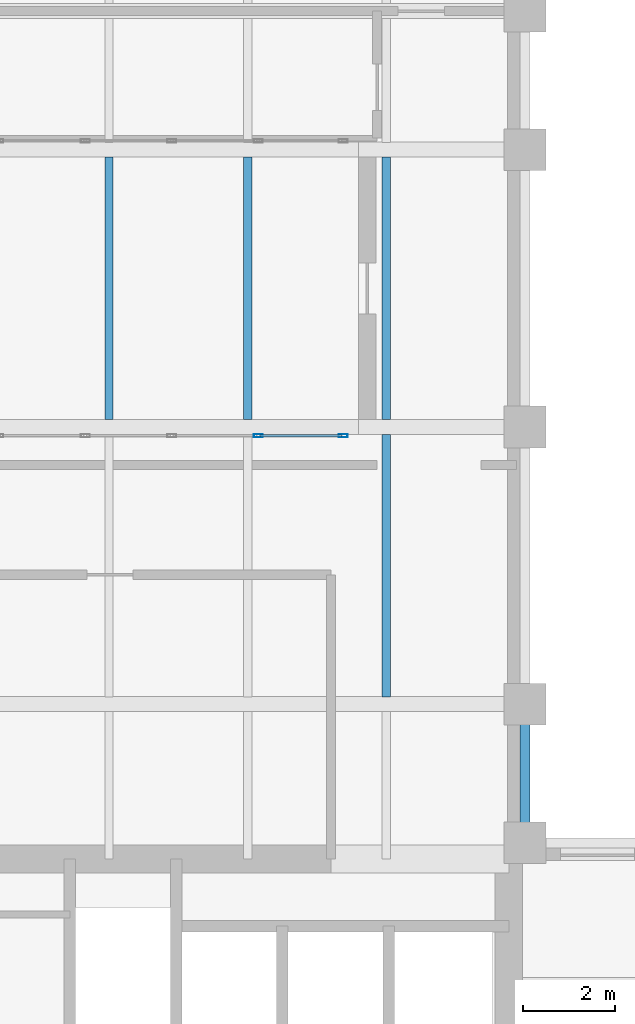
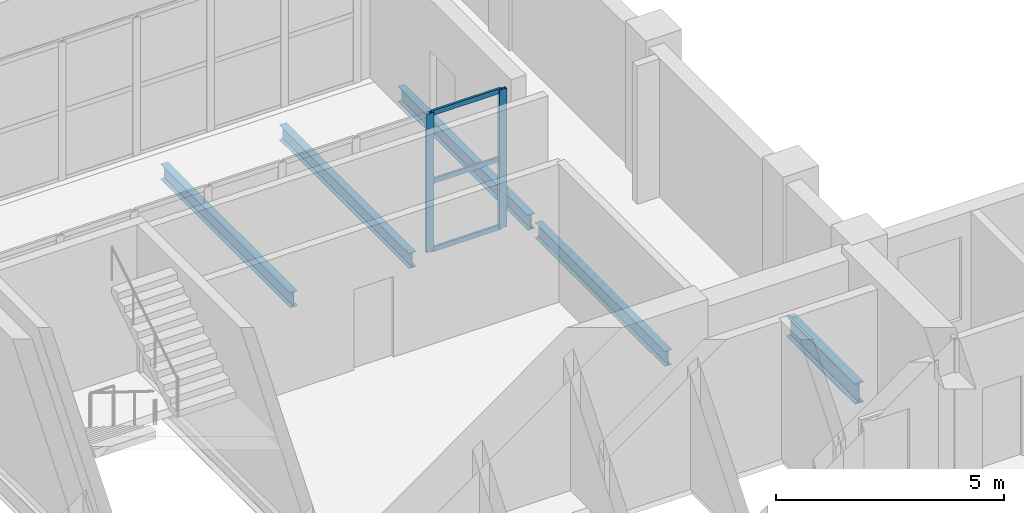
# One storey, part 4 of 11: 5 beams, 5 members, 1 element without a shape of its own.
"""IFC4 building model written with IfcOpenShell, lengths in metres."""

from ifc_helpers import new_model, si_unit, direction, frame, origin, origin_2d, place, context, subcontext, project, spatial, hollow_rectangle, i_section, extrude, material, layer, layer_set, material_profile, profile_set, type_object, element, aggregate, save


model = new_model("IFC4")

# Units and contexts
model_context = context("Model", 3, precision=1e-05, world=origin(), true_north=direction((0.0, 1.0)))
body_context = subcontext(model_context, "Body", "Model", "MODEL_VIEW")
ifc_project = project(units=[si_unit("LENGTHUNIT", "METRE"), si_unit("AREAUNIT", "SQUARE_METRE"), si_unit("VOLUMEUNIT", "CUBIC_METRE"), si_unit("PLANEANGLEUNIT", "RADIAN"), si_unit("MASSUNIT", "GRAM", prefix="KILO")], contexts=[model_context])

# Site, building, storey
site_placement = place(None, origin())
site = spatial("IfcSite", under=ifc_project, at=site_placement, CompositionType="ELEMENT")
building_placement = place(site_placement, origin())
building = spatial("IfcBuilding", under=site, at=building_placement, Name="Mawjdan Bourse Tower", CompositionType="ELEMENT")
storey_placement = place(building_placement, frame((0.0, 0.0, 191.699951171875)))
storey = spatial("IfcBuildingStorey", under=building, at=storey_placement, Name="L46", CompositionType="ELEMENT", Elevation=191.699951171875)

# Beams
ifc_material_1 = material(Name="Structural Steel S355", Category="steel")
ifc_material_profile_1 = material_profile(ifc_material_1, i_section(OverallWidth=0.177978515625, OverallDepth=0.406982421875, WebThickness=0.0078125, FlangeThickness=0.0126953125, FilletRadius=0.01025390625, at=origin_2d()), Name="W16X40")
ifc_profile_set_1 = profile_set([ifc_material_profile_1], Name="Structural Steel S355")
beam_type_1 = type_object("IfcBeamType", Name="JST-W16X40", PredefinedType="JOIST", material=ifc_profile_set_1)
for number, where, z_axis, x_axis, name in (
    (1, (15.0, 30.160400390625, -0.37353515625), (0.0, 1.0, 0.0), (-1.0, 0.0, 0.0), "L46 L46 Portal Sky Deck Joist 071"),
    (2, (18.0, 30.160400390625, -0.37353515625), (0.0, 1.0, 0.0), (-1.0, 0.0, 0.0), "L46 L46 Portal Sky Deck Joist 076"),
    (3, (21.0, 24.160400390625, -0.403564453125), (0.0, 1.0, 0.0), (-1.0, 0.0, 0.0), "L46 North Wing Composite Joist 080"),
    (4, (21.0, 30.160400390625, -0.403564453125), (0.0, 1.0, 0.0), (-1.0, 0.0, 0.0), "L46 North Wing Composite Joist 081"),
):
    element("IfcBeam", number, at=place(storey_placement, frame(where, z_axis=z_axis, x_axis=x_axis)), inside=storey, type_object=beam_type_1, Name=name, PredefinedType="JOIST", context=body_context, shape_type="SweptSolid", body=[
        extrude(i_section(OverallWidth=0.177978515625, OverallDepth=0.406982421875, WebThickness=0.0078125, FlangeThickness=0.0126953125, FilletRadius=0.01025390625, at=origin_2d()), origin(), (0.0, 0.0, 1.0), 5.67919921875),
    ])

# Curtain wall, members
ifc_material_2 = material(Name="Thermally Broken Aluminium and Solar Glass", Category="aluminium")
ifc_layer = layer(ifc_material_2, 0.219970703125)
ifc_layer_set = layer_set([ifc_layer], Name="Thermally Broken Aluminium and Solar Glass")
curtain_wall_type = type_object("IfcCurtainWallType", Name="CW-POR", PredefinedType="USERDEFINED", material=ifc_layer_set)
curtain_wall_placement = place(storey_placement, origin())
curtain_wall = element("IfcCurtainWall", 5, at=curtain_wall_placement, inside=storey, type_object=curtain_wall_type, Name="L46 North Void Portal Glazed Cheek 16", ObjectType="VOID PORTAL CURTAIN WALL", PredefinedType="USERDEFINED")
ifc_material_3 = material(Name="Thermally Broken Anodised Aluminium", Category="aluminium")
ifc_material_profile_2 = material_profile(ifc_material_3, hollow_rectangle(XDim=0.070068359375, YDim=0.18994140625, WallThickness=0.00439453125, at=origin_2d()), Name="ALU-MUL-190X70")
ifc_profile_set_2 = profile_set([ifc_material_profile_2], Name="Thermally Broken Anodised Aluminium")
member_type_1 = type_object("IfcMemberType", Name="MUL-ALU-MUL-190X70", PredefinedType="MULLION", material=ifc_profile_set_2)
member_1_placement = place(storey_placement, frame((20.06494140625, 29.81005859375, 0.0), z_axis=(0.0, 0.0, 1.0), x_axis=(0.0, -1.0, 0.0)))
member_1 = element("IfcMember", 6, at=member_1_placement, type_object=member_type_1, Name="CW-POR-L46-POR-N16 mullion 1", PredefinedType="MULLION", context=body_context, shape_type="SweptSolid", body=[
    extrude(hollow_rectangle(XDim=0.070068359375, YDim=0.18994140625, WallThickness=0.00439453125, at=origin_2d()), origin(), (0.0, 0.0, 1.0), 3.699951171875),
])
member_2_placement = place(storey_placement, frame((18.228515625, 29.81005859375, 0.0), z_axis=(0.0, 0.0, 1.0), x_axis=(0.0, -1.0, 0.0)))
member_2 = element("IfcMember", 7, at=member_2_placement, type_object=member_type_1, Name="CW-POR-L46-POR-N16 mullion 2", PredefinedType="MULLION", context=body_context, shape_type="SweptSolid", body=[
    extrude(hollow_rectangle(XDim=0.070068359375, YDim=0.18994140625, WallThickness=0.00439453125, at=origin_2d()), origin(), (0.0, 0.0, 1.0), 3.699951171875),
])

# Beam
ifc_material_profile_3 = material_profile(ifc_material_1, i_section(OverallWidth=0.2119140625, OverallDepth=0.5439453125, WebThickness=0.01318359375, FlangeThickness=0.021240234375, FilletRadius=0.01708984375, at=origin_2d()), Name="W21X83")
ifc_profile_set_3 = profile_set([ifc_material_profile_3], Name="Structural Steel S355")
beam_type_2 = type_object("IfcBeamType", Name="SPN-W21X83", PredefinedType="SPANDREL", material=ifc_profile_set_3)
beam_placement = place(storey_placement, frame((24.0, 21.0, -0.471923828125), z_axis=(0.0, 1.0, 0.0), x_axis=(-1.0, 0.0, 0.0)))
element("IfcBeam", 8, at=beam_placement, inside=storey, type_object=beam_type_2, Name="L46 North Wing Spandrel 059", PredefinedType="SPANDREL", context=body_context, shape_type="SweptSolid", body=[
    extrude(i_section(OverallWidth=0.2119140625, OverallDepth=0.5439453125, WebThickness=0.01318359375, FlangeThickness=0.021240234375, FilletRadius=0.01708984375, at=origin_2d()), origin(), (0.0, 0.0, 1.0), 3.0),
])

# Member
ifc_material_profile_4 = material_profile(ifc_material_3, hollow_rectangle(XDim=0.054931640625, YDim=0.1298828125, WallThickness=0.00341796875, at=origin_2d()), Name="ALU-TRN-130X55")
ifc_profile_set_4 = profile_set([ifc_material_profile_4], Name="Thermally Broken Anodised Aluminium")
member_type_2 = type_object("IfcMemberType", Name="TRN-ALU-TRN-130X55", PredefinedType="USERDEFINED", material=ifc_profile_set_4)
member_3_placement = place(storey_placement, frame((20.030029296875, 29.81005859375, 0.027587890625), z_axis=(-1.0, 0.0, 0.0), x_axis=(0.0, -1.0, 0.0)))
member_3 = element("IfcMember", 9, at=member_3_placement, type_object=member_type_2, Name="CW-POR-L46-POR-N16 transom 1.1", ObjectType="TRANSOM", PredefinedType="USERDEFINED", context=body_context, shape_type="SweptSolid", body=[
    extrude(hollow_rectangle(XDim=0.054931640625, YDim=0.1298828125, WallThickness=0.00341796875, at=origin_2d()), origin(), (0.0, 0.0, 1.0), 1.766357421875),
])

member_4_placement = place(storey_placement, frame((20.030029296875, 29.81005859375, 1.85009765625), z_axis=(-1.0, 0.0, 0.0), x_axis=(0.0, -1.0, 0.0)))
member_4 = element("IfcMember", 10, at=member_4_placement, type_object=member_type_2, Name="CW-POR-L46-POR-N16 transom 1.2", ObjectType="TRANSOM", PredefinedType="USERDEFINED", context=body_context, shape_type="SweptSolid", body=[
    extrude(hollow_rectangle(XDim=0.054931640625, YDim=0.1298828125, WallThickness=0.00341796875, at=origin_2d()), origin(), (0.0, 0.0, 1.0), 1.766357421875),
])

member_5_placement = place(storey_placement, frame((20.030029296875, 29.81005859375, 3.672607421875), z_axis=(-1.0, 0.0, 0.0), x_axis=(0.0, -1.0, 0.0)))
member_5 = element("IfcMember", 11, at=member_5_placement, type_object=member_type_2, Name="CW-POR-L46-POR-N16 transom 1.3", ObjectType="TRANSOM", PredefinedType="USERDEFINED", context=body_context, shape_type="SweptSolid", body=[
    extrude(hollow_rectangle(XDim=0.054931640625, YDim=0.1298828125, WallThickness=0.00341796875, at=origin_2d()), origin(), (0.0, 0.0, 1.0), 1.766357421875),
])

aggregate(curtain_wall, [member_1, member_2, member_3, member_4, member_5])

save(model, "model.ifc")
